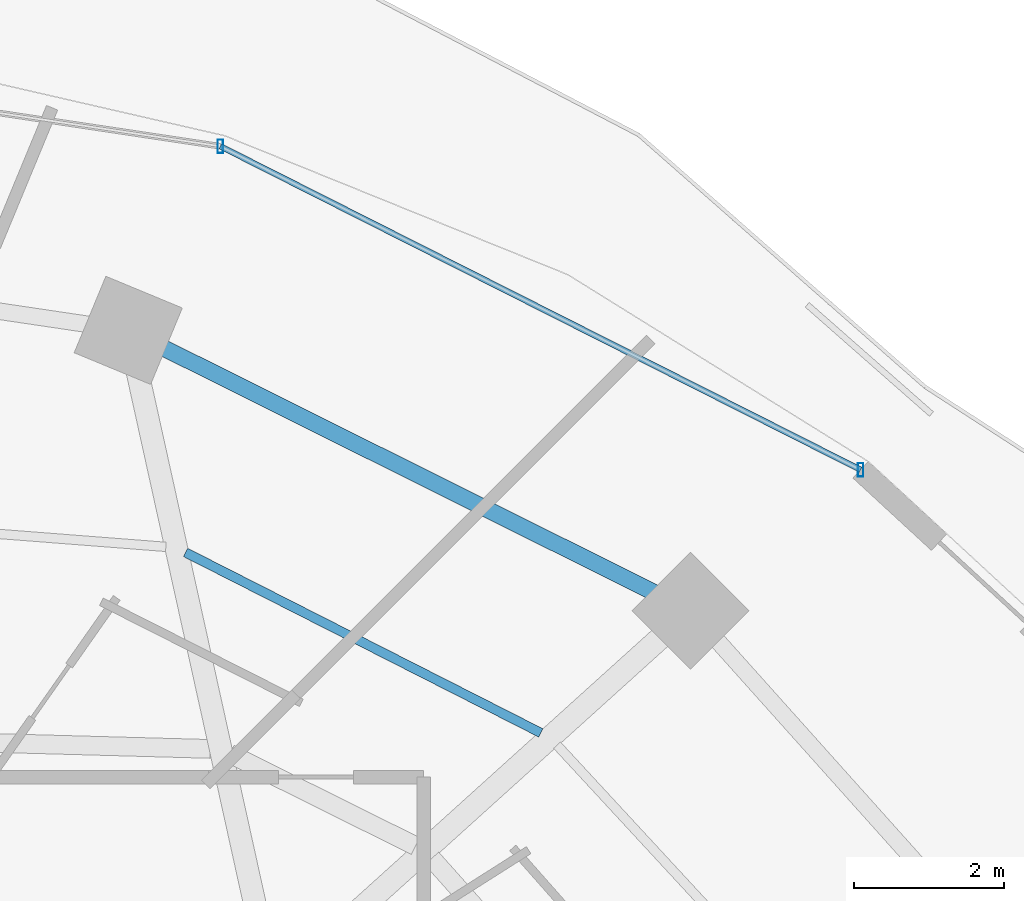
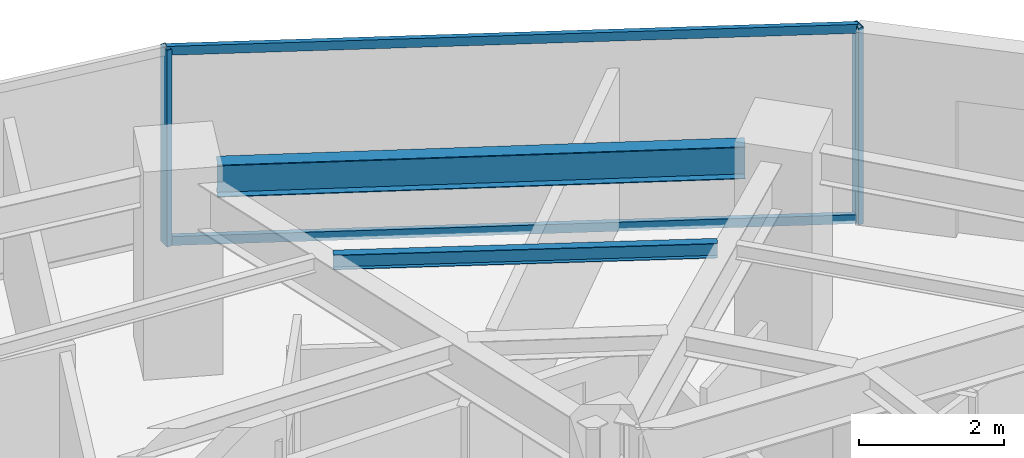
# One storey, part 22 of 31: 4 members, 2 beams, 1 element without a shape of its own.
"""IFC4 building model written with IfcOpenShell, lengths in metres."""

from ifc_helpers import new_model, si_unit, direction, frame, origin, origin_2d, place, context, subcontext, project, spatial, hollow_rectangle, i_section, extrude, material, material_profile, profile_set, type_object, element, aggregate, save


model = new_model("IFC4")

# Units and contexts
model_context = context("Model", 3, precision=1e-05, world=origin(), true_north=direction((0.0, 1.0)))
body_context = subcontext(model_context, "Body", "Model", "MODEL_VIEW")
ifc_project = project(units=[si_unit("LENGTHUNIT", "METRE"), si_unit("AREAUNIT", "SQUARE_METRE"), si_unit("VOLUMEUNIT", "CUBIC_METRE"), si_unit("PLANEANGLEUNIT", "RADIAN"), si_unit("MASSUNIT", "GRAM", prefix="KILO")], contexts=[model_context])

# Site, building, storey
site_placement = place(None, origin())
site = spatial("IfcSite", under=ifc_project, at=site_placement, CompositionType="ELEMENT")
building_placement = place(site_placement, origin())
building = spatial("IfcBuilding", under=site, at=building_placement, Name="Vorneva Point Tower", CompositionType="ELEMENT")
storey_placement = place(building_placement, frame((0.0, 0.0, 103.300048828125)))
storey = spatial("IfcBuildingStorey", under=building, at=storey_placement, Name="L27", CompositionType="ELEMENT", Elevation=103.300048828125)

# Beams
ifc_material_1 = material(Name="Steel S355", Category="steel")
ifc_material_profile_1 = material_profile(ifc_material_1, i_section(OverallWidth=0.1240234375, OverallDepth=0.248046875, WebThickness=0.0048828125, FlangeThickness=0.008056640625, at=origin_2d()), Name="25B1")
ifc_profile_set_1 = profile_set([ifc_material_profile_1], Name="Steel S355")
beam_type_1 = type_object("IfcBeamType", Name="BM-JST-25B1", PredefinedType="JOIST", material=ifc_profile_set_1)
beam_1_placement = place(storey_placement, frame((52.307373046875, 36.537109375, 3.115966796875), z_axis=(-0.89155318404, 0.452916018737, 0.0), x_axis=(-0.452916018737, -0.89155318404, 0.0)))
element("IfcBeam", 1, at=beam_1_placement, inside=storey, type_object=beam_type_1, Name="L27 Secondary Floor Beam 1.03", PredefinedType="JOIST", context=body_context, shape_type="SweptSolid", body=[
    extrude(i_section(OverallWidth=0.1240234375, OverallDepth=0.248046875, WebThickness=0.0048828125, FlangeThickness=0.008056640625, at=origin_2d()), origin(), (0.0, 0.0, 1.0), 5.30029296875),
])
ifc_material_profile_2 = material_profile(ifc_material_1, i_section(OverallWidth=0.219970703125, OverallDepth=0.54296875, WebThickness=0.009521484375, FlangeThickness=0.013427734375, at=origin_2d()), Name="55B1")
ifc_profile_set_2 = profile_set([ifc_material_profile_2], Name="Steel S355")
beam_type_2 = type_object("IfcBeamType", Name="BM-SPN-55B1", PredefinedType="SPANDREL", material=ifc_profile_set_2)
beam_2_placement = place(storey_placement, frame((53.820068359375, 38.40087890625, 2.968505859375), z_axis=(-0.894915882304, 0.446234874926, 0.0), x_axis=(-0.446234874926, -0.894915882304, 0.0)))
element("IfcBeam", 2, at=beam_2_placement, inside=storey, type_object=beam_type_2, Name="L27 Perimeter Spandrel Ring Beam 03", PredefinedType="SPANDREL", context=body_context, shape_type="SweptSolid", body=[
    extrude(i_section(OverallWidth=0.219970703125, OverallDepth=0.54296875, WebThickness=0.009521484375, FlangeThickness=0.013427734375, at=origin_2d()), origin(), (0.0, 0.0, 1.0), 7.285888671875),
])

# Curtain wall, members
ifc_material_2 = material(Name="Pale anodised aluminium", Category="aluminium")
curtain_wall_type = type_object("IfcCurtainWallType", Name="CW-HTL-SYS", PredefinedType="NOTDEFINED", material=ifc_material_2)
curtain_wall_placement = place(storey_placement, origin())
curtain_wall = element("IfcCurtainWall", 3, at=curtain_wall_placement, inside=storey, type_object=curtain_wall_type, Name="L27 Unitised Curtain Wall CW-L27-R02", PredefinedType="NOTDEFINED")
ifc_material_profile_3 = material_profile(ifc_material_2, hollow_rectangle(XDim=0.074951171875, YDim=0.179931640625, WallThickness=0.00390625, at=origin_2d()), Name="AL-MUL 180x75x4")
ifc_profile_set_3 = profile_set([ifc_material_profile_3], Name="Pale anodised aluminium")
member_type_1 = type_object("IfcMemberType", Name="CW-MUL-180", PredefinedType="MULLION", material=ifc_profile_set_3)
member_1_placement = place(storey_placement, frame((56.5615234375, 40.0361328125, -0.0400390625), z_axis=(0.0, 0.0, 1.0), x_axis=(1.0, 0.0, 0.0)))
member_1 = element("IfcMember", 4, at=member_1_placement, type_object=member_type_1, Name="CW-L27-R02 Mullion 01", PredefinedType="MULLION", context=body_context, shape_type="SweptSolid", body=[
    extrude(hollow_rectangle(XDim=0.074951171875, YDim=0.179931640625, WallThickness=0.00390625, at=origin_2d()), origin(), (0.0, 0.0, 1.0), 3.31005859375),
])
member_2_placement = place(storey_placement, frame((48.04541015625, 44.339111328125, -0.0400390625), z_axis=(0.0, 0.0, 1.0), x_axis=(1.0, 0.0, 0.0)))
member_2 = element("IfcMember", 5, at=member_2_placement, type_object=member_type_1, Name="CW-L27-R02 Mullion 02", PredefinedType="MULLION", context=body_context, shape_type="SweptSolid", body=[
    extrude(hollow_rectangle(XDim=0.074951171875, YDim=0.179931640625, WallThickness=0.00390625, at=origin_2d()), origin(), (0.0, 0.0, 1.0), 3.31005859375),
])
ifc_material_profile_4 = material_profile(ifc_material_2, hollow_rectangle(XDim=0.074951171875, YDim=0.14990234375, WallThickness=0.00390625, at=origin_2d()), Name="AL-TRN 150x75x4")
ifc_profile_set_4 = profile_set([ifc_material_profile_4], Name="Pale anodised aluminium")
member_type_2 = type_object("IfcMemberType", Name="CW-TRN-150", PredefinedType="USERDEFINED", material=ifc_profile_set_4)
member_3_placement = place(storey_placement, frame((56.5615234375, 40.0361328125, 0.02001953125), z_axis=(-0.892536035732, 0.450976080207, 0.0), x_axis=(-0.450976080207, -0.892536035732, 0.0)))
member_3 = element("IfcMember", 6, at=member_3_placement, type_object=member_type_2, Name="CW-L27-R02 Transom 01.1", ObjectType="TRANSOM", PredefinedType="USERDEFINED", context=body_context, shape_type="SweptSolid", body=[
    extrude(hollow_rectangle(XDim=0.074951171875, YDim=0.14990234375, WallThickness=0.00390625, at=origin_2d()), origin(), (0.0, 0.0, 1.0), 9.54150390625),
])
member_4_placement = place(storey_placement, frame((56.5615234375, 40.0361328125, 3.219970703125), z_axis=(-0.892536035732, 0.450976080207, 0.0), x_axis=(-0.450976080207, -0.892536035732, 0.0)))
member_4 = element("IfcMember", 7, at=member_4_placement, type_object=member_type_2, Name="CW-L27-R02 Transom 01.2", ObjectType="TRANSOM", PredefinedType="USERDEFINED", context=body_context, shape_type="SweptSolid", body=[
    extrude(hollow_rectangle(XDim=0.074951171875, YDim=0.14990234375, WallThickness=0.00390625, at=origin_2d()), origin(), (0.0, 0.0, 1.0), 9.54150390625),
])
aggregate(curtain_wall, [member_1, member_2, member_3, member_4])

save(model, "model.ifc")
